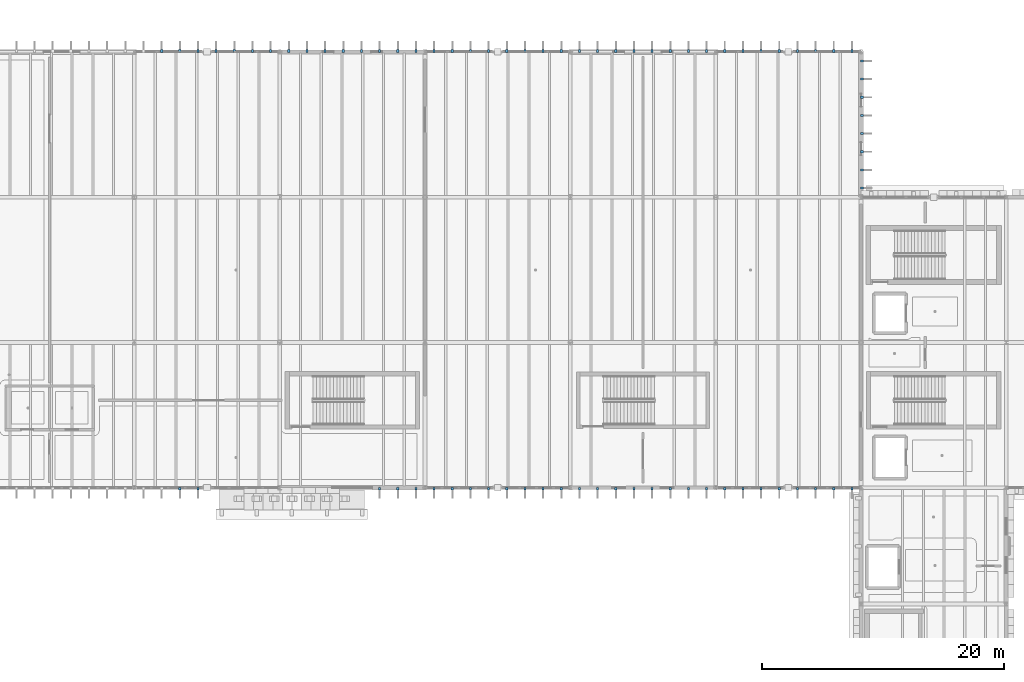
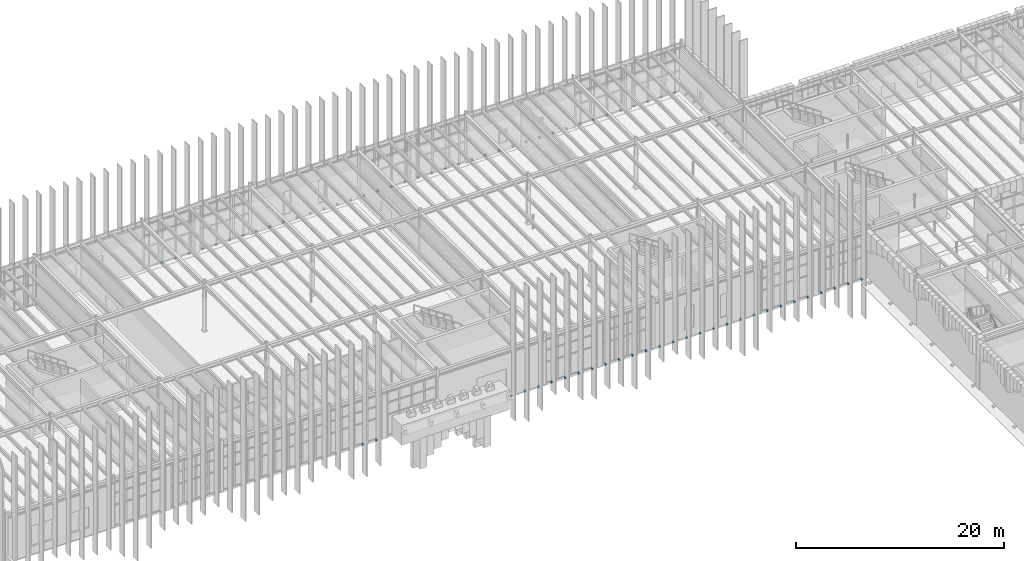
# One storey, part 58 of 83: 76 discrete accessories.
"""IFC4 building model written with IfcOpenShell, lengths in metres."""

from ifc_helpers import new_model, si_unit, direction, frame, origin, origin_2d, place, context, subcontext, project, spatial, rectangle, extrude, material, type_object, element, save


model = new_model("IFC4")

# Units and contexts
model_context = context("Model", 3, precision=1e-05, world=origin(), true_north=direction((0.0, 1.0)))
body_context = subcontext(model_context, "Body", "Model", "MODEL_VIEW")
ifc_project = project(units=[si_unit("LENGTHUNIT", "METRE"), si_unit("AREAUNIT", "SQUARE_METRE"), si_unit("VOLUMEUNIT", "CUBIC_METRE"), si_unit("PLANEANGLEUNIT", "RADIAN"), si_unit("MASSUNIT", "GRAM", prefix="KILO")], contexts=[model_context])

# Site, building, storey
site_placement = place(None, origin())
site = spatial("IfcSite", under=ifc_project, at=site_placement, CompositionType="ELEMENT")
building_placement = place(site_placement, origin())
building = spatial("IfcBuilding", under=site, at=building_placement, Name="Zlatogorsky Bluff Art Gallery", CompositionType="ELEMENT")
storey_placement = place(building_placement, frame((0.0, 0.0, 10.800048828125)))
storey = spatial("IfcBuildingStorey", under=building, at=storey_placement, Name="L02", CompositionType="ELEMENT", Elevation=10.800048828125)

# Discrete accessories
ifc_material = material(Name="Steel S355", Category="steel")
discrete_accessory_type = type_object("IfcDiscreteAccessoryType", Name="Stainless Facade Fin Bracket BRK-01", PredefinedType="BRACKET", material=ifc_material)
for number, where, z_axis, x_axis, name in (
    (1, (63.75, 83.919921875, -0.1298828125), (0.0, 0.0, 1.0), (1.0, 0.0, 0.0), "Fin slab-edge bracket S.043.L02"),
    (2, (65.25, 83.919921875, -0.1298828125), (0.0, 0.0, 1.0), (1.0, 0.0, 0.0), "Fin slab-edge bracket S.044.L02"),
    (3, (80.25, 83.919921875, -0.1298828125), (0.0, 0.0, 1.0), (1.0, 0.0, 0.0), "Fin slab-edge bracket S.045.L02"),
    (4, (81.75, 83.919921875, -0.1298828125), (0.0, 0.0, 1.0), (1.0, 0.0, 0.0), "Fin slab-edge bracket S.046.L02"),
    (5, (83.25, 83.919921875, -0.1298828125), (0.0, 0.0, 1.0), (1.0, 0.0, 0.0), "Fin slab-edge bracket S.047.L02"),
    (6, (84.75, 83.919921875, -0.1298828125), (0.0, 0.0, 1.0), (1.0, 0.0, 0.0), "Fin slab-edge bracket S.048.L02"),
    (7, (86.25, 83.919921875, -0.1298828125), (0.0, 0.0, 1.0), (1.0, 0.0, 0.0), "Fin slab-edge bracket S.049.L02"),
    (8, (87.75, 83.919921875, -0.1298828125), (0.0, 0.0, 1.0), (1.0, 0.0, 0.0), "Fin slab-edge bracket S.050.L02"),
    (9, (89.25, 83.919921875, -0.1298828125), (0.0, 0.0, 1.0), (1.0, 0.0, 0.0), "Fin slab-edge bracket S.051.L02"),
    (10, (90.75, 83.919921875, -0.1298828125), (0.0, 0.0, 1.0), (1.0, 0.0, 0.0), "Fin slab-edge bracket S.052.L02"),
    (11, (92.25, 83.919921875, -0.1298828125), (0.0, 0.0, 1.0), (1.0, 0.0, 0.0), "Fin slab-edge bracket S.053.L02"),
    (12, (93.75, 83.919921875, -0.1298828125), (0.0, 0.0, 1.0), (1.0, 0.0, 0.0), "Fin slab-edge bracket S.054.L02"),
    (13, (95.25, 83.919921875, -0.1298828125), (0.0, 0.0, 1.0), (1.0, 0.0, 0.0), "Fin slab-edge bracket S.055.L02"),
    (14, (96.75, 83.919921875, -0.1298828125), (0.0, 0.0, 1.0), (1.0, 0.0, 0.0), "Fin slab-edge bracket S.056.L02"),
    (15, (98.25, 83.919921875, -0.1298828125), (0.0, 0.0, 1.0), (1.0, 0.0, 0.0), "Fin slab-edge bracket S.057.L02"),
    (16, (99.75, 83.919921875, -0.1298828125), (0.0, 0.0, 1.0), (1.0, 0.0, 0.0), "Fin slab-edge bracket S.058.L02"),
    (17, (101.25, 83.919921875, -0.1298828125), (0.0, 0.0, 1.0), (1.0, 0.0, 0.0), "Fin slab-edge bracket S.059.L02"),
    (18, (102.75, 83.919921875, -0.1298828125), (0.0, 0.0, 1.0), (1.0, 0.0, 0.0), "Fin slab-edge bracket S.060.L02"),
    (19, (104.25, 83.919921875, -0.1298828125), (0.0, 0.0, 1.0), (1.0, 0.0, 0.0), "Fin slab-edge bracket S.061.L02"),
    (20, (105.75, 83.919921875, -0.1298828125), (0.0, 0.0, 1.0), (1.0, 0.0, 0.0), "Fin slab-edge bracket S.062.L02"),
    (21, (107.25, 83.919921875, -0.1298828125), (0.0, 0.0, 1.0), (1.0, 0.0, 0.0), "Fin slab-edge bracket S.063.L02"),
    (22, (108.75, 83.919921875, -0.1298828125), (0.0, 0.0, 1.0), (1.0, 0.0, 0.0), "Fin slab-edge bracket S.064.L02"),
    (23, (110.25, 83.919921875, -0.1298828125), (0.0, 0.0, 1.0), (1.0, 0.0, 0.0), "Fin slab-edge bracket S.065.L02"),
    (24, (111.75, 83.919921875, -0.1298828125), (0.0, 0.0, 1.0), (1.0, 0.0, 0.0), "Fin slab-edge bracket S.066.L02"),
    (25, (113.25, 83.919921875, -0.1298828125), (0.0, 0.0, 1.0), (1.0, 0.0, 0.0), "Fin slab-edge bracket S.067.L02"),
    (26, (114.75, 83.919921875, -0.1298828125), (0.0, 0.0, 1.0), (1.0, 0.0, 0.0), "Fin slab-edge bracket S.068.L02"),
    (27, (116.25, 83.919921875, -0.1298828125), (0.0, 0.0, 1.0), (1.0, 0.0, 0.0), "Fin slab-edge bracket S.069.L02"),
    (28, (117.75, 83.919921875, -0.1298828125), (0.0, 0.0, 1.0), (1.0, 0.0, 0.0), "Fin slab-edge bracket S.070.L02"),
    (29, (119.25, 83.919921875, -0.1298828125), (0.0, 0.0, 1.0), (1.0, 0.0, 0.0), "Fin slab-edge bracket S.071.L02"),
    (30, (62.25, 120.080078125, -0.1298828125), (0.0, 0.0, 1.0), (1.0, 0.0, 0.0), "Fin slab-edge bracket N.105.L02"),
    (31, (63.75, 120.080078125, -0.1298828125), (0.0, 0.0, 1.0), (1.0, 0.0, 0.0), "Fin slab-edge bracket N.106.L02"),
    (32, (65.25, 120.080078125, -0.1298828125), (0.0, 0.0, 1.0), (1.0, 0.0, 0.0), "Fin slab-edge bracket N.107.L02"),
    (33, (66.75, 120.080078125, -0.1298828125), (0.0, 0.0, 1.0), (1.0, 0.0, 0.0), "Fin slab-edge bracket N.108.L02"),
    (34, (68.25, 120.080078125, -0.1298828125), (0.0, 0.0, 1.0), (1.0, 0.0, 0.0), "Fin slab-edge bracket N.109.L02"),
    (35, (69.75, 120.080078125, -0.1298828125), (0.0, 0.0, 1.0), (1.0, 0.0, 0.0), "Fin slab-edge bracket N.110.L02"),
    (36, (71.25, 120.080078125, -0.1298828125), (0.0, 0.0, 1.0), (1.0, 0.0, 0.0), "Fin slab-edge bracket N.111.L02"),
    (37, (72.75, 120.080078125, -0.1298828125), (0.0, 0.0, 1.0), (1.0, 0.0, 0.0), "Fin slab-edge bracket N.112.L02"),
    (38, (74.25, 120.080078125, -0.1298828125), (0.0, 0.0, 1.0), (1.0, 0.0, 0.0), "Fin slab-edge bracket N.113.L02"),
    (39, (75.75, 120.080078125, -0.1298828125), (0.0, 0.0, 1.0), (1.0, 0.0, 0.0), "Fin slab-edge bracket N.114.L02"),
    (40, (77.25, 120.080078125, -0.1298828125), (0.0, 0.0, 1.0), (1.0, 0.0, 0.0), "Fin slab-edge bracket N.115.L02"),
    (41, (78.75, 120.080078125, -0.1298828125), (0.0, 0.0, 1.0), (1.0, 0.0, 0.0), "Fin slab-edge bracket N.116.L02"),
    (42, (80.25, 120.080078125, -0.1298828125), (0.0, 0.0, 1.0), (1.0, 0.0, 0.0), "Fin slab-edge bracket N.117.L02"),
    (43, (81.75, 120.080078125, -0.1298828125), (0.0, 0.0, 1.0), (1.0, 0.0, 0.0), "Fin slab-edge bracket N.118.L02"),
    (44, (83.25, 120.080078125, -0.1298828125), (0.0, 0.0, 1.0), (1.0, 0.0, 0.0), "Fin slab-edge bracket N.119.L02"),
    (45, (84.75, 120.080078125, -0.1298828125), (0.0, 0.0, 1.0), (1.0, 0.0, 0.0), "Fin slab-edge bracket N.120.L02"),
    (46, (86.25, 120.080078125, -0.1298828125), (0.0, 0.0, 1.0), (1.0, 0.0, 0.0), "Fin slab-edge bracket N.121.L02"),
    (47, (87.75, 120.080078125, -0.1298828125), (0.0, 0.0, 1.0), (1.0, 0.0, 0.0), "Fin slab-edge bracket N.122.L02"),
    (48, (89.25, 120.080078125, -0.1298828125), (0.0, 0.0, 1.0), (1.0, 0.0, 0.0), "Fin slab-edge bracket N.123.L02"),
    (49, (90.75, 120.080078125, -0.1298828125), (0.0, 0.0, 1.0), (1.0, 0.0, 0.0), "Fin slab-edge bracket N.124.L02"),
    (50, (92.25, 120.080078125, -0.1298828125), (0.0, 0.0, 1.0), (1.0, 0.0, 0.0), "Fin slab-edge bracket N.125.L02"),
    (51, (93.75, 120.080078125, -0.1298828125), (0.0, 0.0, 1.0), (1.0, 0.0, 0.0), "Fin slab-edge bracket N.126.L02"),
    (52, (95.25, 120.080078125, -0.1298828125), (0.0, 0.0, 1.0), (1.0, 0.0, 0.0), "Fin slab-edge bracket N.127.L02"),
    (53, (96.75, 120.080078125, -0.1298828125), (0.0, 0.0, 1.0), (1.0, 0.0, 0.0), "Fin slab-edge bracket N.128.L02"),
    (54, (98.25, 120.080078125, -0.1298828125), (0.0, 0.0, 1.0), (1.0, 0.0, 0.0), "Fin slab-edge bracket N.129.L02"),
    (55, (99.75, 120.080078125, -0.1298828125), (0.0, 0.0, 1.0), (1.0, 0.0, 0.0), "Fin slab-edge bracket N.130.L02"),
    (56, (101.25, 120.080078125, -0.1298828125), (0.0, 0.0, 1.0), (1.0, 0.0, 0.0), "Fin slab-edge bracket N.131.L02"),
    (57, (102.75, 120.080078125, -0.1298828125), (0.0, 0.0, 1.0), (1.0, 0.0, 0.0), "Fin slab-edge bracket N.132.L02"),
    (58, (104.25, 120.080078125, -0.1298828125), (0.0, 0.0, 1.0), (1.0, 0.0, 0.0), "Fin slab-edge bracket N.133.L02"),
    (59, (105.75, 120.080078125, -0.1298828125), (0.0, 0.0, 1.0), (1.0, 0.0, 0.0), "Fin slab-edge bracket N.134.L02"),
    (60, (107.25, 120.080078125, -0.1298828125), (0.0, 0.0, 1.0), (1.0, 0.0, 0.0), "Fin slab-edge bracket N.135.L02"),
    (61, (108.75, 120.080078125, -0.1298828125), (0.0, 0.0, 1.0), (1.0, 0.0, 0.0), "Fin slab-edge bracket N.136.L02"),
    (62, (110.25, 120.080078125, -0.1298828125), (0.0, 0.0, 1.0), (1.0, 0.0, 0.0), "Fin slab-edge bracket N.137.L02"),
    (63, (111.75, 120.080078125, -0.1298828125), (0.0, 0.0, 1.0), (1.0, 0.0, 0.0), "Fin slab-edge bracket N.138.L02"),
    (64, (113.25, 120.080078125, -0.1298828125), (0.0, 0.0, 1.0), (1.0, 0.0, 0.0), "Fin slab-edge bracket N.139.L02"),
    (65, (114.75, 120.080078125, -0.1298828125), (0.0, 0.0, 1.0), (1.0, 0.0, 0.0), "Fin slab-edge bracket N.140.L02"),
    (66, (116.25, 120.080078125, -0.1298828125), (0.0, 0.0, 1.0), (1.0, 0.0, 0.0), "Fin slab-edge bracket N.141.L02"),
    (67, (117.75, 120.080078125, -0.1298828125), (0.0, 0.0, 1.0), (1.0, 0.0, 0.0), "Fin slab-edge bracket N.142.L02"),
    (68, (119.25, 120.080078125, -0.1298828125), (0.0, 0.0, 1.0), (1.0, 0.0, 0.0), "Fin slab-edge bracket N.143.L02"),
):
    element("IfcDiscreteAccessory", number, at=place(storey_placement, frame(where, z_axis=z_axis, x_axis=x_axis)), inside=storey, type_object=discrete_accessory_type, Name=name, PredefinedType="BRACKET", context=body_context, shape_type="SweptSolid", body=[
        extrude(rectangle(XDim=0.179931640625, YDim=0.239990234375, at=origin_2d()), origin(), (0.0, 0.0, 1.0), 0.179931640625),
    ])
for number, where, z_axis, x_axis, name in (
    (69, (120.080078125, 108.75, -0.1298828125), (0.0, 0.0, 1.0), (1.0, 0.0, 0.0), "Fin slab-edge bracket E.160.L02"),
    (70, (120.080078125, 110.25, -0.1298828125), (0.0, 0.0, 1.0), (1.0, 0.0, 0.0), "Fin slab-edge bracket E.161.L02"),
    (71, (120.080078125, 111.75, -0.1298828125), (0.0, 0.0, 1.0), (1.0, 0.0, 0.0), "Fin slab-edge bracket E.162.L02"),
    (72, (120.080078125, 113.25, -0.1298828125), (0.0, 0.0, 1.0), (1.0, 0.0, 0.0), "Fin slab-edge bracket E.163.L02"),
    (73, (120.080078125, 114.75, -0.1298828125), (0.0, 0.0, 1.0), (1.0, 0.0, 0.0), "Fin slab-edge bracket E.164.L02"),
    (74, (120.080078125, 116.25, -0.1298828125), (0.0, 0.0, 1.0), (1.0, 0.0, 0.0), "Fin slab-edge bracket E.165.L02"),
    (75, (120.080078125, 117.75, -0.1298828125), (0.0, 0.0, 1.0), (1.0, 0.0, 0.0), "Fin slab-edge bracket E.166.L02"),
    (76, (120.080078125, 119.25, -0.1298828125), (0.0, 0.0, 1.0), (1.0, 0.0, 0.0), "Fin slab-edge bracket E.167.L02"),
):
    element("IfcDiscreteAccessory", number, at=place(storey_placement, frame(where, z_axis=z_axis, x_axis=x_axis)), inside=storey, type_object=discrete_accessory_type, Name=name, PredefinedType="BRACKET", context=body_context, shape_type="SweptSolid", body=[
        extrude(rectangle(XDim=0.239990234375, YDim=0.179931640625, at=origin_2d()), origin(), (0.0, 0.0, 1.0), 0.179931640625),
    ])

save(model, "model.ifc")
